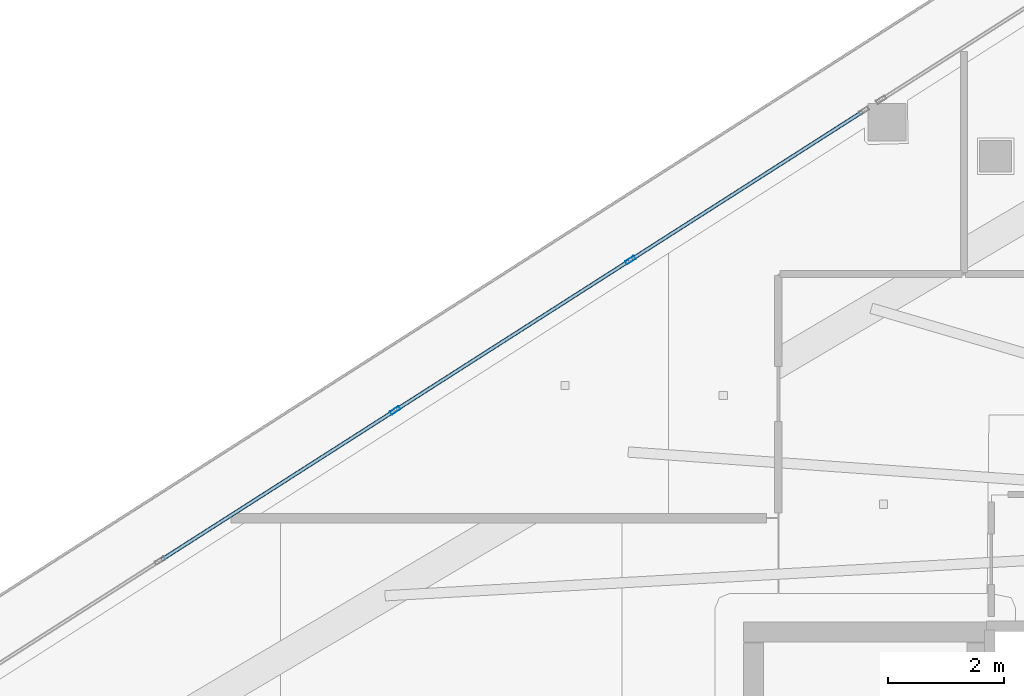
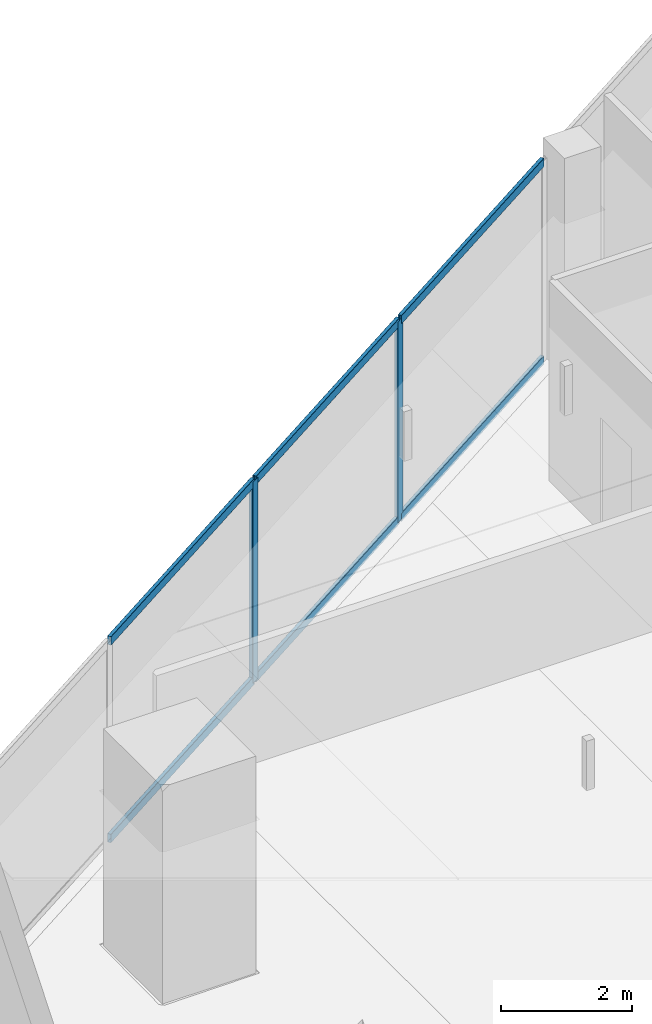
# One storey, part 15 of 34: 8 members, 1 element without a shape of its own.
"""IFC4 building model written with IfcOpenShell, lengths in metres."""

from ifc_helpers import new_model, si_unit, direction, frame, origin, origin_2d, place, context, subcontext, project, spatial, hollow_rectangle, extrude, material, layer, layer_set, material_profile, profile_set, type_object, element, aggregate, save


model = new_model("IFC4")

# Units and contexts
model_context = context("Model", 3, precision=1e-05, world=origin(), true_north=direction((0.0, 1.0)))
body_context = subcontext(model_context, "Body", "Model", "MODEL_VIEW")
ifc_project = project(units=[si_unit("LENGTHUNIT", "METRE"), si_unit("AREAUNIT", "SQUARE_METRE"), si_unit("VOLUMEUNIT", "CUBIC_METRE"), si_unit("PLANEANGLEUNIT", "RADIAN"), si_unit("MASSUNIT", "GRAM", prefix="KILO")], contexts=[model_context])

# Site, building, storey
site_placement = place(None, origin())
site = spatial("IfcSite", under=ifc_project, at=site_placement, CompositionType="ELEMENT")
building_placement = place(site_placement, origin())
building = spatial("IfcBuilding", under=site, at=building_placement, Name="Qorvath Tower", CompositionType="ELEMENT")
storey_placement = place(building_placement, frame((0.0, 0.0, 245.550048828125)))
storey = spatial("IfcBuildingStorey", under=building, at=storey_placement, Name="L57", CompositionType="ELEMENT", Elevation=245.550048828125)

# Curtain wall, members
ifc_material_1 = material(Name="Anodised aluminium and triple low-E glass", Category="aluminium")
ifc_layer = layer(ifc_material_1, 0.179931640625)
ifc_layer_set = layer_set([ifc_layer], Name="CW-SYS-3")
curtain_wall_type = type_object("IfcCurtainWallType", Name="CW-SYS-3", PredefinedType="NOTDEFINED", material=ifc_layer_set)
curtain_wall_placement = place(storey_placement, origin())
curtain_wall = element("IfcCurtainWall", 1, at=curtain_wall_placement, inside=storey, type_object=curtain_wall_type, Name="Curtain Wall CW-3 CW-T-L57-16.3", PredefinedType="NOTDEFINED")
ifc_material_2 = material(Name="Anodised aluminium 6063-T6", Category="aluminium")
ifc_material_profile_1 = material_profile(ifc_material_2, hollow_rectangle(XDim=0.06494140625, YDim=0.179931640625, WallThickness=0.00341796875, InnerFilletRadius=0.00341796875, OuterFilletRadius=0.007080078125, at=origin_2d()), Name="CWM 180x65")
ifc_profile_set_1 = profile_set([ifc_material_profile_1], Name="Anodised aluminium 6063-T6")
member_type_1 = type_object("IfcMemberType", Name="CWM-180", PredefinedType="MULLION", material=ifc_profile_set_1)
member_1_placement = place(storey_placement, frame((-40.413330078125, 11.0, 0.0), z_axis=(0.0, 0.0, 1.0), x_axis=(0.538526839039, -0.842608357207, 0.0)))
member_1 = element("IfcMember", 2, at=member_1_placement, type_object=member_type_1, Name="CW-3 mullion 2", PredefinedType="MULLION", context=body_context, shape_type="SweptSolid", body=[
    extrude(hollow_rectangle(XDim=0.06494140625, YDim=0.179931640625, WallThickness=0.00341796875, InnerFilletRadius=0.00341796875, OuterFilletRadius=0.007080078125, at=origin_2d()), origin(), (0.0, 0.0, 1.0), 3.75),
])
member_2_placement = place(storey_placement, frame((-44.475830078125, 8.4033203125, 0.0), z_axis=(0.0, 0.0, 1.0), x_axis=(0.538526839039, -0.842608357207, 0.0)))
member_2 = element("IfcMember", 3, at=member_2_placement, type_object=member_type_1, Name="CW-3 mullion 3", PredefinedType="MULLION", context=body_context, shape_type="SweptSolid", body=[
    extrude(hollow_rectangle(XDim=0.06494140625, YDim=0.179931640625, WallThickness=0.00341796875, InnerFilletRadius=0.00341796875, OuterFilletRadius=0.007080078125, at=origin_2d()), origin(), (0.0, 0.0, 1.0), 3.75),
])
ifc_material_3 = material(Name="Anodised aluminium 6063-T6", Category="aluminium")
ifc_material_profile_2 = material_profile(ifc_material_3, hollow_rectangle(XDim=0.06494140625, YDim=0.159912109375, WallThickness=0.00341796875, InnerFilletRadius=0.00341796875, OuterFilletRadius=0.007080078125, at=origin_2d()), Name="CWT 160x65")
ifc_profile_set_2 = profile_set([ifc_material_profile_2], Name="Anodised aluminium 6063-T6")
member_type_2 = type_object("IfcMemberType", Name="CWT-160", PredefinedType="USERDEFINED", material=ifc_profile_set_2)
member_3_placement = place(storey_placement, frame((-36.4052734375, 13.561279296875, 0.032470703125), z_axis=(-0.842612879889, -0.538519762539, 0.0), x_axis=(0.538519762539, -0.842612879889, 0.0)))
member_3 = element("IfcMember", 4, at=member_3_placement, type_object=member_type_2, Name="CW-3 transom 1.1", ObjectType="TRANSOM", PredefinedType="USERDEFINED", context=body_context, shape_type="SweptSolid", body=[
    extrude(hollow_rectangle(XDim=0.06494140625, YDim=0.159912109375, WallThickness=0.00341796875, InnerFilletRadius=0.00341796875, OuterFilletRadius=0.007080078125, at=origin_2d()), origin(), (0.0, 0.0, 1.0), 4.723876953125),
])
member_4_placement = place(storey_placement, frame((-36.4052734375, 13.561279296875, 3.717529296875), z_axis=(-0.842612879889, -0.538519762539, 0.0), x_axis=(0.538519762539, -0.842612879889, 0.0)))
member_4 = element("IfcMember", 5, at=member_4_placement, type_object=member_type_2, Name="CW-3 transom 1.2", ObjectType="TRANSOM", PredefinedType="USERDEFINED", context=body_context, shape_type="SweptSolid", body=[
    extrude(hollow_rectangle(XDim=0.06494140625, YDim=0.159912109375, WallThickness=0.00341796875, InnerFilletRadius=0.00341796875, OuterFilletRadius=0.007080078125, at=origin_2d()), origin(), (0.0, 0.0, 1.0), 4.723876953125),
])
member_5_placement = place(storey_placement, frame((-40.440673828125, 10.982421875, 0.032470703125), z_axis=(-0.842603097133, -0.538535069147, 0.0), x_axis=(0.538535069147, -0.842603097133, 0.0)))
member_5 = element("IfcMember", 6, at=member_5_placement, type_object=member_type_2, Name="CW-3 transom 2.1", ObjectType="TRANSOM", PredefinedType="USERDEFINED", context=body_context, shape_type="SweptSolid", body=[
    extrude(hollow_rectangle(XDim=0.06494140625, YDim=0.159912109375, WallThickness=0.00341796875, InnerFilletRadius=0.00341796875, OuterFilletRadius=0.007080078125, at=origin_2d()), origin(), (0.0, 0.0, 1.0), 4.75634765625),
])
member_6_placement = place(storey_placement, frame((-40.440673828125, 10.982421875, 3.717529296875), z_axis=(-0.842603097133, -0.538535069147, 0.0), x_axis=(0.538535069147, -0.842603097133, 0.0)))
member_6 = element("IfcMember", 7, at=member_6_placement, type_object=member_type_2, Name="CW-3 transom 2.2", ObjectType="TRANSOM", PredefinedType="USERDEFINED", context=body_context, shape_type="SweptSolid", body=[
    extrude(hollow_rectangle(XDim=0.06494140625, YDim=0.159912109375, WallThickness=0.00341796875, InnerFilletRadius=0.00341796875, OuterFilletRadius=0.007080078125, at=origin_2d()), origin(), (0.0, 0.0, 1.0), 4.75634765625),
])
member_7_placement = place(storey_placement, frame((-44.503173828125, 8.385986328125, 0.032470703125), z_axis=(-0.842603097133, -0.538535069147, 0.0), x_axis=(0.538535069147, -0.842603097133, 0.0)))
member_7 = element("IfcMember", 8, at=member_7_placement, type_object=member_type_2, Name="CW-3 transom 3.1", ObjectType="TRANSOM", PredefinedType="USERDEFINED", context=body_context, shape_type="SweptSolid", body=[
    extrude(hollow_rectangle(XDim=0.06494140625, YDim=0.159912109375, WallThickness=0.00341796875, InnerFilletRadius=0.00341796875, OuterFilletRadius=0.007080078125, at=origin_2d()), origin(), (0.0, 0.0, 1.0), 4.75634765625),
])
member_8_placement = place(storey_placement, frame((-44.503173828125, 8.385986328125, 3.717529296875), z_axis=(-0.842603097133, -0.538535069147, 0.0), x_axis=(0.538535069147, -0.842603097133, 0.0)))
member_8 = element("IfcMember", 9, at=member_8_placement, type_object=member_type_2, Name="CW-3 transom 3.2", ObjectType="TRANSOM", PredefinedType="USERDEFINED", context=body_context, shape_type="SweptSolid", body=[
    extrude(hollow_rectangle(XDim=0.06494140625, YDim=0.159912109375, WallThickness=0.00341796875, InnerFilletRadius=0.00341796875, OuterFilletRadius=0.007080078125, at=origin_2d()), origin(), (0.0, 0.0, 1.0), 4.75634765625),
])
aggregate(curtain_wall, [member_1, member_2, member_3, member_4, member_5, member_6, member_7, member_8])

save(model, "model.ifc")
